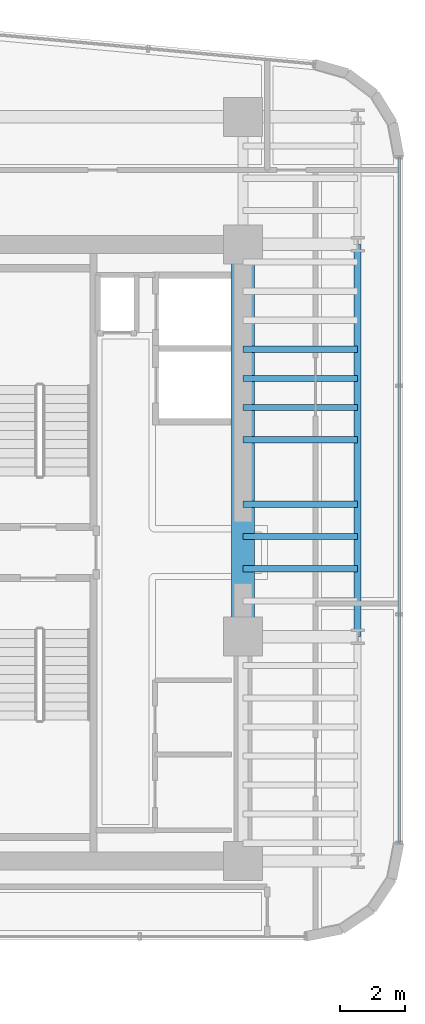
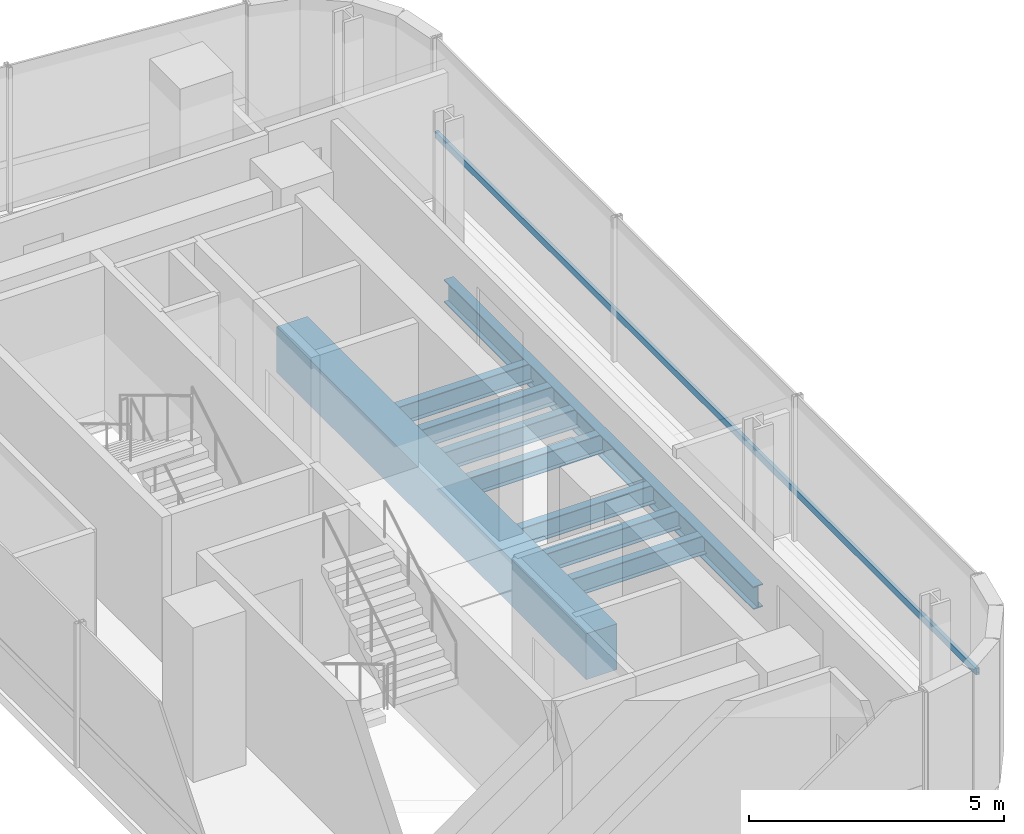
# One storey, part 17 of 34: 9 beams, 1 member, 1 element without a shape of its own.
"""IFC4 building model written with IfcOpenShell, lengths in metres."""

from ifc_helpers import new_model, si_unit, direction, frame, origin, origin_2d, place, context, subcontext, project, spatial, rectangle, hollow_rectangle, i_section, extrude, source, transform, mapped, material, material_profile, profile_set, type_object, element, aggregate, save


model = new_model("IFC4")

# Units and contexts
model_context = context("Model", 3, precision=1e-05, world=origin(), true_north=direction((0.0, 1.0)))
body_context = subcontext(model_context, "Body", "Model", "MODEL_VIEW")
ifc_project = project(units=[si_unit("LENGTHUNIT", "METRE"), si_unit("AREAUNIT", "SQUARE_METRE"), si_unit("VOLUMEUNIT", "CUBIC_METRE"), si_unit("PLANEANGLEUNIT", "RADIAN"), si_unit("MASSUNIT", "GRAM", prefix="KILO")], contexts=[model_context])

# Site, building, storey
site_placement = place(None, origin())
site = spatial("IfcSite", under=ifc_project, at=site_placement, CompositionType="ELEMENT")
building_placement = place(site_placement, origin())
building = spatial("IfcBuilding", under=site, at=building_placement, Name="Valdorenza Pilgrim Sanctuary Tower", CompositionType="ELEMENT")
storey_placement = place(building_placement, frame((0.0, 0.0, 161.199951171875)))
storey = spatial("IfcBuildingStorey", under=building, at=storey_placement, Name="L41", CompositionType="ELEMENT", Elevation=161.199951171875)

# Beams
ifc_material_1 = material(Name="Concrete C50/60", Category="concrete")
ifc_material_profile_1 = material_profile(ifc_material_1, rectangle(XDim=0.699951171875, YDim=1.10009765625, at=origin_2d()), Name="RC 1100x700")
ifc_profile_set_1 = profile_set([ifc_material_profile_1], Name="Concrete C50/60")
beam_type_1 = type_object("IfcBeamType", Name="STR-BM-LNT-1100", PredefinedType="LINTEL", material=ifc_profile_set_1)
shared_shape_1 = source(origin(), body_context, "Body", "SweptSolid", [
    extrude(rectangle(XDim=0.699951171875, YDim=1.10009765625, at=origin_2d()), origin(), (0.0, 0.0, 1.0), 12.150146484375),
])
beam_1_placement = place(storey_placement, frame((24.85009765625, -2.60009765625, -0.58984375), z_axis=(0.0, 1.0, 0.0), x_axis=(-1.0, 0.0, 0.0)))
element("IfcBeam", 1, at=beam_1_placement, inside=storey, type_object=beam_type_1, Name="L41 Core B East Coupling Lintel Girder", PredefinedType="LINTEL", context=body_context, shape_type="MappedRepresentation", body=[
    mapped(shared_shape_1, transform((0.0, 0.0, 0.0), x_axis=(1.0, 0.0, 0.0), y_axis=(0.0, 1.0, 0.0), z_axis=(0.0, 0.0, 1.0), scale=1.0)),
])
ifc_material_2 = material(Name="Steel ASTM A992 Grade 50", Category="steel")
ifc_material_profile_2 = material_profile(ifc_material_2, i_section(OverallWidth=0.214111328125, OverallDepth=0.549072265625, WebThickness=0.0146484375, FlangeThickness=0.023681640625, at=origin_2d()), Name="W21X93")
ifc_profile_set_2 = profile_set([ifc_material_profile_2], Name="Steel ASTM A992 Grade 50")
beam_type_2 = type_object("IfcBeamType", Name="STR-BM-SPN-W21A", PredefinedType="SPANDREL", material=ifc_profile_set_2)
shared_shape_2 = source(origin(), body_context, "Body", "SweptSolid", [
    extrude(i_section(OverallWidth=0.214111328125, OverallDepth=0.549072265625, WebThickness=0.0146484375, FlangeThickness=0.023681640625, at=origin_2d()), origin(), (0.0, 0.0, 1.0), 12.150146484375),
])
beam_2_placement = place(storey_placement, frame((28.39990234375, -2.60009765625, -0.514404296875), z_axis=(0.0, 1.0, 0.0), x_axis=(-1.0, 0.0, 0.0)))
element("IfcBeam", 2, at=beam_2_placement, inside=storey, type_object=beam_type_2, Name="L41 Spandrel Beam WB-E-M0N1", PredefinedType="SPANDREL", context=body_context, shape_type="MappedRepresentation", body=[
    mapped(shared_shape_2, transform((0.0, 0.0, 0.0), x_axis=(1.0, 0.0, 0.0), y_axis=(0.0, 1.0, 0.0), z_axis=(0.0, 0.0, 1.0), scale=1.0)),
])
ifc_material_profile_3 = material_profile(ifc_material_2, i_section(OverallWidth=0.19091796875, OverallDepth=0.45703125, WebThickness=0.009033203125, FlangeThickness=0.014404296875, at=origin_2d()), Name="W18X50")
ifc_profile_set_3 = profile_set([ifc_material_profile_3], Name="Steel ASTM A992 Grade 50")
beam_type_3 = type_object("IfcBeamType", Name="STR-BM-JST-W18B", PredefinedType="JOIST", material=ifc_profile_set_3)
shared_shape_3 = source(origin(), body_context, "Body", "SweptSolid", [
    extrude(i_section(OverallWidth=0.19091796875, OverallDepth=0.45703125, WebThickness=0.009033203125, FlangeThickness=0.014404296875, at=origin_2d()), origin(), (0.0, 0.0, 1.0), 3.5498046875),
])
for number, where, z_axis, x_axis, name in (
    (3, (24.85009765625, -0.5, -0.468505859375), (1.0, 0.0, 0.0), (0.0, 1.0, 0.0), "L41 Composite Floor Joist JST-WB-9"),
    (4, (24.85009765625, 0.5, -0.468505859375), (1.0, 0.0, 0.0), (0.0, 1.0, 0.0), "L41 Composite Floor Joist JST-WB-10"),
    (5, (24.85009765625, 1.5, -0.468505859375), (1.0, 0.0, 0.0), (0.0, 1.0, 0.0), "L41 Composite Floor Joist JST-WB-11"),
    (6, (24.85009765625, 3.5, -0.468505859375), (1.0, 0.0, 0.0), (0.0, 1.0, 0.0), "L41 Composite Floor Joist JST-WB-12"),
    (7, (24.85009765625, 4.5, -0.468505859375), (1.0, 0.0, 0.0), (0.0, 1.0, 0.0), "L41 Composite Floor Joist JST-WB-13"),
    (8, (24.85009765625, 5.39990234375, -0.468505859375), (1.0, 0.0, 0.0), (0.0, 1.0, 0.0), "L41 Composite Floor Joist JST-WB-14"),
    (9, (24.85009765625, 6.300048828125, -0.468505859375), (1.0, 0.0, 0.0), (0.0, 1.0, 0.0), "L41 Composite Floor Joist JST-WB-15"),
):
    element("IfcBeam", number, at=place(storey_placement, frame(where, z_axis=z_axis, x_axis=x_axis)), inside=storey, type_object=beam_type_3, Name=name, PredefinedType="JOIST", context=body_context, shape_type="MappedRepresentation", body=[
        mapped(shared_shape_3, transform((0.0, 0.0, 0.0), x_axis=(1.0, 0.0, 0.0), y_axis=(0.0, 1.0, 0.0), z_axis=(0.0, 0.0, 1.0), scale=1.0)),
    ])

# Curtain wall, member
ifc_material_3 = material(Name="Curtain-wall IGU glazing", Category="glass")
curtain_wall_type = type_object("IfcCurtainWallType", Name="CW-SYS-03", PredefinedType="NOTDEFINED", material=ifc_material_3)
curtain_wall_placement = place(storey_placement, origin())
curtain_wall = element("IfcCurtainWall", 10, at=curtain_wall_placement, inside=storey, type_object=curtain_wall_type, Name="L41 Curtain Wall CW-L41-2-11", PredefinedType="NOTDEFINED")
ifc_material_4 = material(Name="Anodised aluminium AW-6060", Category="aluminium")
ifc_material_profile_4 = material_profile(ifc_material_4, hollow_rectangle(XDim=0.074951171875, YDim=0.159912109375, WallThickness=0.00390625, at=origin_2d()), Name="ALU-T 160x75x4")
ifc_profile_set_4 = profile_set([ifc_material_profile_4], Name="Anodised aluminium AW-6060")
member_type = type_object("IfcMemberType", Name="CW-TRN-03", PredefinedType="USERDEFINED", material=ifc_profile_set_4)
shared_shape_4 = source(origin(), body_context, "Body", "SweptSolid", [
    extrude(hollow_rectangle(XDim=0.074951171875, YDim=0.159912109375, WallThickness=0.00390625, at=origin_2d()), origin(), (0.0, 0.0, 1.0), 21.242431640625),
])
member_placement = place(storey_placement, frame((29.68994140625, 12.253173828125, 1.1201171875), z_axis=(0.0, -1.0, 0.0), x_axis=(1.0, 0.0, 0.0)))
member = element("IfcMember", 11, at=member_placement, type_object=member_type, Name="CW-L41-2-11 Transom 1", ObjectType="TRANSOM", PredefinedType="USERDEFINED", context=body_context, shape_type="MappedRepresentation", body=[
    mapped(shared_shape_4, transform((0.0, 0.0, 0.0), x_axis=(1.0, 0.0, 0.0), y_axis=(0.0, 1.0, 0.0), z_axis=(0.0, 0.0, 1.0), scale=1.0)),
])
aggregate(curtain_wall, [member])

save(model, "model.ifc")
